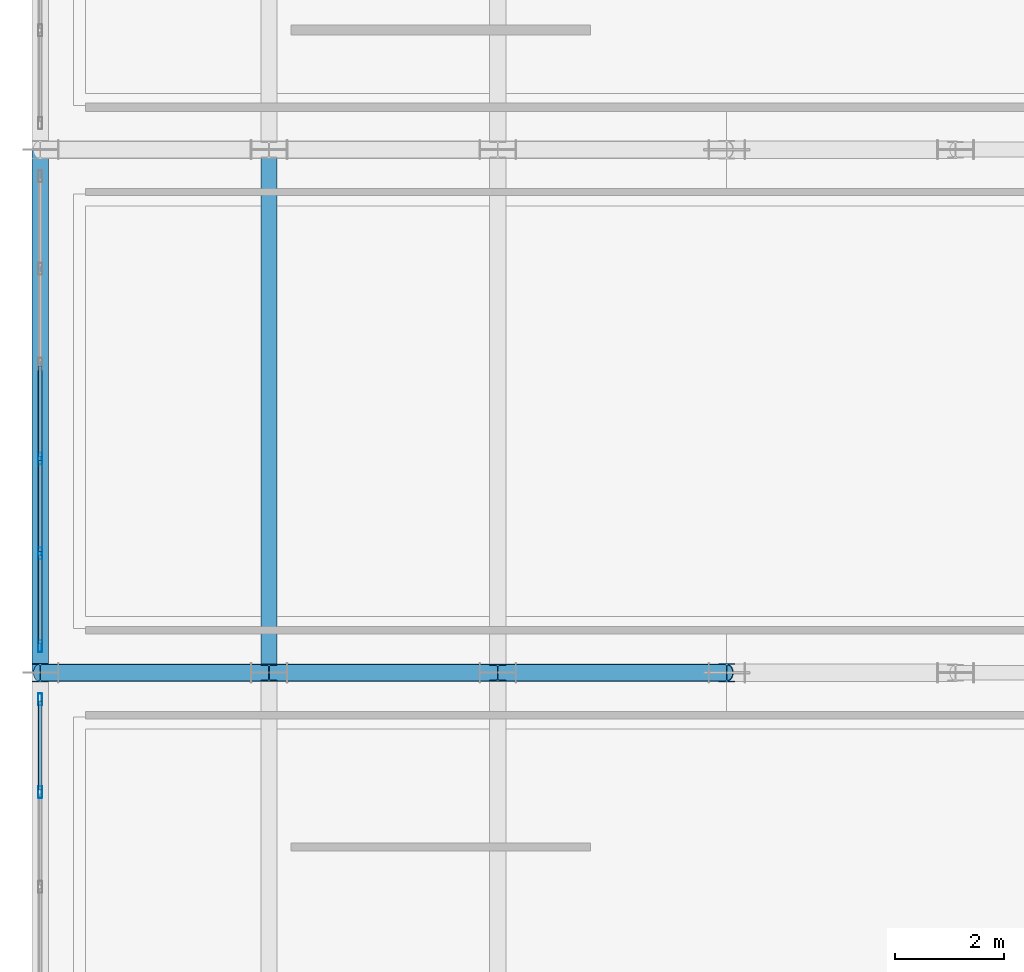
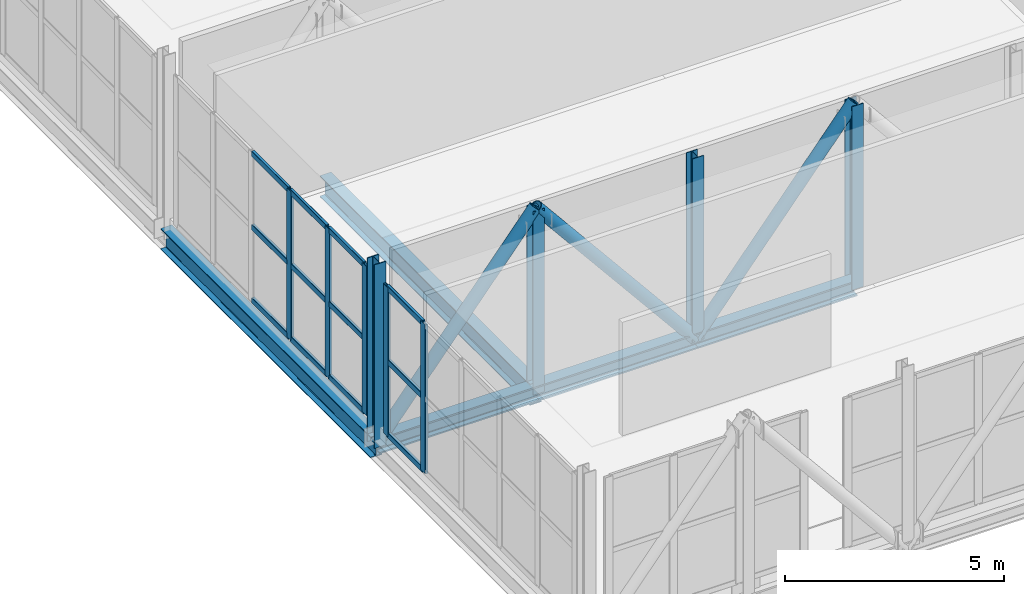
# One storey, part 6 of 77: 27 members, 2 beams, 2 elements without a shape of their own.
"""IFC4 building model written with IfcOpenShell, lengths in metres."""

from ifc_helpers import new_model, si_unit, direction, frame, origin, origin_2d, place, context, subcontext, project, spatial, hollow_rectangle, hollow_circle, i_section, extrude, material, layer, layer_set, material_profile, profile_set, type_object, element, aggregate, save


model = new_model("IFC4")

# Units and contexts
model_context = context("Model", 3, precision=1e-05, world=origin(), true_north=direction((0.0, 1.0)))
body_context = subcontext(model_context, "Body", "Model", "MODEL_VIEW")
ifc_project = project(units=[si_unit("LENGTHUNIT", "METRE"), si_unit("AREAUNIT", "SQUARE_METRE"), si_unit("VOLUMEUNIT", "CUBIC_METRE"), si_unit("PLANEANGLEUNIT", "RADIAN"), si_unit("MASSUNIT", "GRAM", prefix="KILO")], contexts=[model_context])

# Site, building, storey
site_placement = place(None, origin())
site = spatial("IfcSite", under=ifc_project, at=site_placement, CompositionType="ELEMENT")
building_placement = place(site_placement, origin())
building = spatial("IfcBuilding", under=site, at=building_placement, Name="Zulmaris Art Gallery", CompositionType="ELEMENT")
storey_placement = place(building_placement, frame((0.0, 0.0, 15.60009765625)))
storey = spatial("IfcBuildingStorey", under=building, at=storey_placement, Name="L03", CompositionType="ELEMENT", Elevation=15.60009765625)

# Beams
ifc_material_1 = material(Name="Steel S355J2", Category="steel")
ifc_material_profile_1 = material_profile(ifc_material_1, i_section(OverallWidth=0.300048828125, OverallDepth=0.590087890625, WebThickness=0.012939453125, FlangeThickness=0.02490234375, FilletRadius=0.027099609375, at=origin_2d()), Name="HEA 600")
ifc_profile_set_1 = profile_set([ifc_material_profile_1], Name="Steel S355J2")
beam_type = type_object("IfcBeamType", Name="BEAM-BM12", PredefinedType="BEAM", material=ifc_profile_set_1)
for number, where, z_axis, x_axis, name in (
    (1, (11.39990234375, 31.199951171875, -0.614990234375), (0.0, 1.0, 0.0), (-1.0, 0.0, 0.0), "L03 cantilever transverse girder at x=11.4"),
    (2, (15.60009765625, 31.199951171875, -0.614990234375), (0.0, 1.0, 0.0), (-1.0, 0.0, 0.0), "L03 cantilever transverse girder at x=15.6"),
):
    element("IfcBeam", number, at=place(storey_placement, frame(where, z_axis=z_axis, x_axis=x_axis)), inside=storey, type_object=beam_type, Name=name, PredefinedType="BEAM", context=body_context, shape_type="SweptSolid", body=[
        extrude(i_section(OverallWidth=0.300048828125, OverallDepth=0.590087890625, WebThickness=0.012939453125, FlangeThickness=0.02490234375, FilletRadius=0.027099609375, at=origin_2d()), origin(), (0.0, 0.0, 1.0), 9.60009765625),
    ])

# Curtain wall, members
ifc_material_2 = material(Name="Belvedere Horizon Glazed Curtain Wall", Category="aluminium")
ifc_layer = layer(ifc_material_2, 0.179931640625)
ifc_layer_set = layer_set([ifc_layer], Name="Belvedere Horizon Glazed Curtain Wall")
curtain_wall_type = type_object("IfcCurtainWallType", Name="CW-CW02", PredefinedType="NOTDEFINED", material=ifc_layer_set)
curtain_wall_1_placement = place(storey_placement, origin())
curtain_wall_1 = element("IfcCurtainWall", 3, at=curtain_wall_1_placement, inside=storey, type_object=curtain_wall_type, Name="L03 curtain wall 16", PredefinedType="NOTDEFINED")
ifc_material_3 = material(Name="Anodised Bronze Aluminium", Category="aluminium")
ifc_material_profile_2 = material_profile(ifc_material_3, hollow_rectangle(XDim=0.074951171875, YDim=0.219970703125, WallThickness=0.0048828125, InnerFilletRadius=0.007568359375, OuterFilletRadius=0.012451171875, at=origin_2d()), Name="ALU 75x220x5")
ifc_profile_set_2 = profile_set([ifc_material_profile_2], Name="Anodised Bronze Aluminium")
member_type_1 = type_object("IfcMemberType", Name="CWMUL-02", PredefinedType="MULLION", material=ifc_profile_set_2)
member_1_placement = place(storey_placement, frame((11.39990234375, 29.010009765625, 0.0), z_axis=(0.0, 0.0, 1.0), x_axis=(-1.0, 0.0, 0.0)))
member_1 = element("IfcMember", 4, at=member_1_placement, type_object=member_type_1, Name="CW02 mullion 5", PredefinedType="MULLION", context=body_context, shape_type="SweptSolid", body=[
    extrude(hollow_rectangle(XDim=0.074951171875, YDim=0.219970703125, WallThickness=0.0048828125, InnerFilletRadius=0.007568359375, OuterFilletRadius=0.012451171875, at=origin_2d()), origin(), (0.0, 0.0, 1.0), 4.159912109375),
])
member_2_placement = place(storey_placement, frame((11.39990234375, 30.71240234375, 0.0), z_axis=(0.0, 0.0, 1.0), x_axis=(-1.0, 0.0, 0.0)))
member_2 = element("IfcMember", 5, at=member_2_placement, type_object=member_type_1, Name="CW02 mullion 6", PredefinedType="MULLION", context=body_context, shape_type="SweptSolid", body=[
    extrude(hollow_rectangle(XDim=0.074951171875, YDim=0.219970703125, WallThickness=0.0048828125, InnerFilletRadius=0.007568359375, OuterFilletRadius=0.012451171875, at=origin_2d()), origin(), (0.0, 0.0, 1.0), 4.159912109375),
])

curtain_wall_2_placement = place(storey_placement, origin())
curtain_wall_2 = element("IfcCurtainWall", 6, at=curtain_wall_2_placement, inside=storey, type_object=curtain_wall_type, Name="L03 curtain wall 17", PredefinedType="NOTDEFINED")
member_3_placement = place(storey_placement, frame((11.39990234375, 31.6875, 0.0), z_axis=(0.0, 0.0, 1.0), x_axis=(-1.0, 0.0, 0.0)))
member_3 = element("IfcMember", 7, at=member_3_placement, type_object=member_type_1, Name="CW02 mullion 1", PredefinedType="MULLION", context=body_context, shape_type="SweptSolid", body=[
    extrude(hollow_rectangle(XDim=0.074951171875, YDim=0.219970703125, WallThickness=0.0048828125, InnerFilletRadius=0.007568359375, OuterFilletRadius=0.012451171875, at=origin_2d()), origin(), (0.0, 0.0, 1.0), 4.159912109375),
])
member_4_placement = place(storey_placement, frame((11.39990234375, 33.389892578125, 0.0), z_axis=(0.0, 0.0, 1.0), x_axis=(-1.0, 0.0, 0.0)))
member_4 = element("IfcMember", 8, at=member_4_placement, type_object=member_type_1, Name="CW02 mullion 2", PredefinedType="MULLION", context=body_context, shape_type="SweptSolid", body=[
    extrude(hollow_rectangle(XDim=0.074951171875, YDim=0.219970703125, WallThickness=0.0048828125, InnerFilletRadius=0.007568359375, OuterFilletRadius=0.012451171875, at=origin_2d()), origin(), (0.0, 0.0, 1.0), 4.159912109375),
])
member_5_placement = place(storey_placement, frame((11.39990234375, 35.1298828125, 0.0), z_axis=(0.0, 0.0, 1.0), x_axis=(-1.0, 0.0, 0.0)))
member_5 = element("IfcMember", 9, at=member_5_placement, type_object=member_type_1, Name="CW02 mullion 3", PredefinedType="MULLION", context=body_context, shape_type="SweptSolid", body=[
    extrude(hollow_rectangle(XDim=0.074951171875, YDim=0.219970703125, WallThickness=0.0048828125, InnerFilletRadius=0.007568359375, OuterFilletRadius=0.012451171875, at=origin_2d()), origin(), (0.0, 0.0, 1.0), 4.159912109375),
])

# Member
ifc_material_profile_3 = material_profile(ifc_material_3, hollow_rectangle(XDim=0.074951171875, YDim=0.159912109375, WallThickness=0.00390625, InnerFilletRadius=0.006103515625, OuterFilletRadius=0.010009765625, at=origin_2d()), Name="ALU 75x160x4")
ifc_profile_set_3 = profile_set([ifc_material_profile_3], Name="Anodised Bronze Aluminium")
member_type_2 = type_object("IfcMemberType", Name="CWTRN-02", PredefinedType="USERDEFINED", material=ifc_profile_set_3)
member_6_placement = place(storey_placement, frame((11.39990234375, 29.047607421875, 0.037353515625), z_axis=(0.0, 1.0, 0.0), x_axis=(-1.0, 0.0, 0.0)))
member_6 = element("IfcMember", 10, at=member_6_placement, type_object=member_type_2, Name="CW02 transom 5.1", ObjectType="TRANSOM", PredefinedType="USERDEFINED", context=body_context, shape_type="SweptSolid", body=[
    extrude(hollow_rectangle(XDim=0.074951171875, YDim=0.159912109375, WallThickness=0.00390625, InnerFilletRadius=0.006103515625, OuterFilletRadius=0.010009765625, at=origin_2d()), origin(), (0.0, 0.0, 1.0), 1.62744140625),
])

member_7_placement = place(storey_placement, frame((11.39990234375, 29.047607421875, 2.079833984375), z_axis=(0.0, 1.0, 0.0), x_axis=(-1.0, 0.0, 0.0)))
member_7 = element("IfcMember", 11, at=member_7_placement, type_object=member_type_2, Name="CW02 transom 5.2", ObjectType="TRANSOM", PredefinedType="USERDEFINED", context=body_context, shape_type="SweptSolid", body=[
    extrude(hollow_rectangle(XDim=0.074951171875, YDim=0.159912109375, WallThickness=0.00390625, InnerFilletRadius=0.006103515625, OuterFilletRadius=0.010009765625, at=origin_2d()), origin(), (0.0, 0.0, 1.0), 1.62744140625),
])

member_8_placement = place(storey_placement, frame((11.39990234375, 29.047607421875, 4.122314453125), z_axis=(0.0, 1.0, 0.0), x_axis=(-1.0, 0.0, 0.0)))
member_8 = element("IfcMember", 12, at=member_8_placement, type_object=member_type_2, Name="CW02 transom 5.3", ObjectType="TRANSOM", PredefinedType="USERDEFINED", context=body_context, shape_type="SweptSolid", body=[
    extrude(hollow_rectangle(XDim=0.074951171875, YDim=0.159912109375, WallThickness=0.00390625, InnerFilletRadius=0.006103515625, OuterFilletRadius=0.010009765625, at=origin_2d()), origin(), (0.0, 0.0, 1.0), 1.62744140625),
])

aggregate(curtain_wall_1, [member_1, member_2, member_6, member_7, member_8])

member_9_placement = place(storey_placement, frame((11.39990234375, 31.72509765625, 0.037353515625), z_axis=(0.0, 1.0, 0.0), x_axis=(-1.0, 0.0, 0.0)))
member_9 = element("IfcMember", 13, at=member_9_placement, type_object=member_type_2, Name="CW02 transom 1.1", ObjectType="TRANSOM", PredefinedType="USERDEFINED", context=body_context, shape_type="SweptSolid", body=[
    extrude(hollow_rectangle(XDim=0.074951171875, YDim=0.159912109375, WallThickness=0.00390625, InnerFilletRadius=0.006103515625, OuterFilletRadius=0.010009765625, at=origin_2d()), origin(), (0.0, 0.0, 1.0), 1.62744140625),
])

member_10_placement = place(storey_placement, frame((11.39990234375, 31.72509765625, 2.079833984375), z_axis=(0.0, 1.0, 0.0), x_axis=(-1.0, 0.0, 0.0)))
member_10 = element("IfcMember", 14, at=member_10_placement, type_object=member_type_2, Name="CW02 transom 1.2", ObjectType="TRANSOM", PredefinedType="USERDEFINED", context=body_context, shape_type="SweptSolid", body=[
    extrude(hollow_rectangle(XDim=0.074951171875, YDim=0.159912109375, WallThickness=0.00390625, InnerFilletRadius=0.006103515625, OuterFilletRadius=0.010009765625, at=origin_2d()), origin(), (0.0, 0.0, 1.0), 1.62744140625),
])

member_11_placement = place(storey_placement, frame((11.39990234375, 31.72509765625, 4.122314453125), z_axis=(0.0, 1.0, 0.0), x_axis=(-1.0, 0.0, 0.0)))
member_11 = element("IfcMember", 15, at=member_11_placement, type_object=member_type_2, Name="CW02 transom 1.3", ObjectType="TRANSOM", PredefinedType="USERDEFINED", context=body_context, shape_type="SweptSolid", body=[
    extrude(hollow_rectangle(XDim=0.074951171875, YDim=0.159912109375, WallThickness=0.00390625, InnerFilletRadius=0.006103515625, OuterFilletRadius=0.010009765625, at=origin_2d()), origin(), (0.0, 0.0, 1.0), 1.62744140625),
])

member_12_placement = place(storey_placement, frame((11.39990234375, 33.427490234375, 0.037353515625), z_axis=(0.0, 1.0, 0.0), x_axis=(-1.0, 0.0, 0.0)))
member_12 = element("IfcMember", 16, at=member_12_placement, type_object=member_type_2, Name="CW02 transom 2.1", ObjectType="TRANSOM", PredefinedType="USERDEFINED", context=body_context, shape_type="SweptSolid", body=[
    extrude(hollow_rectangle(XDim=0.074951171875, YDim=0.159912109375, WallThickness=0.00390625, InnerFilletRadius=0.006103515625, OuterFilletRadius=0.010009765625, at=origin_2d()), origin(), (0.0, 0.0, 1.0), 1.6650390625),
])

member_13_placement = place(storey_placement, frame((11.39990234375, 33.427490234375, 2.079833984375), z_axis=(0.0, 1.0, 0.0), x_axis=(-1.0, 0.0, 0.0)))
member_13 = element("IfcMember", 17, at=member_13_placement, type_object=member_type_2, Name="CW02 transom 2.2", ObjectType="TRANSOM", PredefinedType="USERDEFINED", context=body_context, shape_type="SweptSolid", body=[
    extrude(hollow_rectangle(XDim=0.074951171875, YDim=0.159912109375, WallThickness=0.00390625, InnerFilletRadius=0.006103515625, OuterFilletRadius=0.010009765625, at=origin_2d()), origin(), (0.0, 0.0, 1.0), 1.6650390625),
])

member_14_placement = place(storey_placement, frame((11.39990234375, 33.427490234375, 4.122314453125), z_axis=(0.0, 1.0, 0.0), x_axis=(-1.0, 0.0, 0.0)))
member_14 = element("IfcMember", 18, at=member_14_placement, type_object=member_type_2, Name="CW02 transom 2.3", ObjectType="TRANSOM", PredefinedType="USERDEFINED", context=body_context, shape_type="SweptSolid", body=[
    extrude(hollow_rectangle(XDim=0.074951171875, YDim=0.159912109375, WallThickness=0.00390625, InnerFilletRadius=0.006103515625, OuterFilletRadius=0.010009765625, at=origin_2d()), origin(), (0.0, 0.0, 1.0), 1.6650390625),
])

member_15_placement = place(storey_placement, frame((11.39990234375, 35.16748046875, 0.037353515625), z_axis=(0.0, 1.0, 0.0), x_axis=(-1.0, 0.0, 0.0)))
member_15 = element("IfcMember", 19, at=member_15_placement, type_object=member_type_2, Name="CW02 transom 3.1", ObjectType="TRANSOM", PredefinedType="USERDEFINED", context=body_context, shape_type="SweptSolid", body=[
    extrude(hollow_rectangle(XDim=0.074951171875, YDim=0.159912109375, WallThickness=0.00390625, InnerFilletRadius=0.006103515625, OuterFilletRadius=0.010009765625, at=origin_2d()), origin(), (0.0, 0.0, 1.0), 1.6650390625),
])

member_16_placement = place(storey_placement, frame((11.39990234375, 35.16748046875, 2.079833984375), z_axis=(0.0, 1.0, 0.0), x_axis=(-1.0, 0.0, 0.0)))
member_16 = element("IfcMember", 20, at=member_16_placement, type_object=member_type_2, Name="CW02 transom 3.2", ObjectType="TRANSOM", PredefinedType="USERDEFINED", context=body_context, shape_type="SweptSolid", body=[
    extrude(hollow_rectangle(XDim=0.074951171875, YDim=0.159912109375, WallThickness=0.00390625, InnerFilletRadius=0.006103515625, OuterFilletRadius=0.010009765625, at=origin_2d()), origin(), (0.0, 0.0, 1.0), 1.6650390625),
])

member_17_placement = place(storey_placement, frame((11.39990234375, 35.16748046875, 4.122314453125), z_axis=(0.0, 1.0, 0.0), x_axis=(-1.0, 0.0, 0.0)))
member_17 = element("IfcMember", 21, at=member_17_placement, type_object=member_type_2, Name="CW02 transom 3.3", ObjectType="TRANSOM", PredefinedType="USERDEFINED", context=body_context, shape_type="SweptSolid", body=[
    extrude(hollow_rectangle(XDim=0.074951171875, YDim=0.159912109375, WallThickness=0.00390625, InnerFilletRadius=0.006103515625, OuterFilletRadius=0.010009765625, at=origin_2d()), origin(), (0.0, 0.0, 1.0), 1.6650390625),
])

aggregate(curtain_wall_2, [member_3, member_4, member_5, member_9, member_10, member_11, member_12, member_13, member_14, member_15, member_16, member_17])

# Members
ifc_material_4 = material(Name="Steel S355J2H", Category="steel")
ifc_material_profile_4 = material_profile(ifc_material_4, hollow_circle(Radius=0.161865234375, WallThickness=0.01611328125, at=origin_2d()), Name="CHS 323.9x16")
ifc_profile_set_4 = profile_set([ifc_material_profile_4], Name="Steel S355J2H")
member_type_3 = type_object("IfcMemberType", Name="MEM-TB04", PredefinedType="BRACE", material=ifc_profile_set_4)
member_18_placement = place(storey_placement, frame((11.39990234375, 31.199951171875, -0.5361328125), z_axis=(0.634341472612, 0.0, 0.773052971099), x_axis=(0.0, 1.0, 0.0)))
element("IfcMember", 22, at=member_18_placement, inside=storey, type_object=member_type_3, Name="Cantilever truss TR-C2 diagonal 1", PredefinedType="BRACE", context=body_context, shape_type="SweptSolid", body=[
    extrude(hollow_circle(Radius=0.161865234375, WallThickness=0.01611328125, at=origin_2d()), origin(), (0.0, 0.0, 1.0), 6.621337890625),
])
for number, where, z_axis, x_axis, name in (
    (23, (15.60009765625, 31.199951171875, 4.58251953125), (0.634319436883, 0.0, -0.773071052357), (0.0, 1.0, 0.0), "Cantilever truss TR-C2 diagonal 2"),
    (24, (19.800048828125, 31.199951171875, -0.5361328125), (0.634319436883, 0.0, 0.773071052357), (0.0, 1.0, 0.0), "Cantilever truss TR-C2 diagonal 3"),
):
    element("IfcMember", number, at=place(storey_placement, frame(where, z_axis=z_axis, x_axis=x_axis)), inside=storey, type_object=member_type_3, Name=name, PredefinedType="BRACE", context=body_context, shape_type="SweptSolid", body=[
        extrude(hollow_circle(Radius=0.161865234375, WallThickness=0.01611328125, at=origin_2d()), origin(), (0.0, 0.0, 1.0), 6.62109375),
    ])
ifc_material_profile_5 = material_profile(ifc_material_1, i_section(OverallWidth=0.306884765625, OverallDepth=0.431884765625, WebThickness=0.02099609375, FlangeThickness=0.0400390625, FilletRadius=0.027099609375, at=origin_2d()), Name="HEM 400")
ifc_profile_set_5 = profile_set([ifc_material_profile_5], Name="Steel S355J2")
member_type_4 = type_object("IfcMemberType", Name="MEM-TC05", PredefinedType="CHORD", material=ifc_profile_set_5)
member_19_placement = place(storey_placement, frame((11.39990234375, 31.199951171875, -0.5361328125), z_axis=(1.0, 0.0, 0.0), x_axis=(0.0, 1.0, 0.0)))
element("IfcMember", 25, at=member_19_placement, inside=storey, type_object=member_type_4, Name="Cantilever truss TR-C2 bottom chord 1", PredefinedType="CHORD", context=body_context, shape_type="SweptSolid", body=[
    extrude(i_section(OverallWidth=0.306884765625, OverallDepth=0.431884765625, WebThickness=0.02099609375, FlangeThickness=0.0400390625, FilletRadius=0.027099609375, at=origin_2d()), origin(), (0.0, 0.0, 1.0), 4.2001953125),
])
for number, where, z_axis, x_axis, name in (
    (26, (15.60009765625, 31.199951171875, -0.5361328125), (1.0, 0.0, 0.0), (0.0, 1.0, 0.0), "Cantilever truss TR-C2 bottom chord 2"),
    (27, (19.800048828125, 31.199951171875, -0.5361328125), (1.0, 0.0, 0.0), (0.0, 1.0, 0.0), "Cantilever truss TR-C2 bottom chord 3"),
):
    element("IfcMember", number, at=place(storey_placement, frame(where, z_axis=z_axis, x_axis=x_axis)), inside=storey, type_object=member_type_4, Name=name, PredefinedType="CHORD", context=body_context, shape_type="SweptSolid", body=[
        extrude(i_section(OverallWidth=0.306884765625, OverallDepth=0.431884765625, WebThickness=0.02099609375, FlangeThickness=0.0400390625, FilletRadius=0.027099609375, at=origin_2d()), origin(), (0.0, 0.0, 1.0), 4.199951171875),
    ])
ifc_material_profile_6 = material_profile(ifc_material_1, i_section(OverallWidth=0.300048828125, OverallDepth=0.300048828125, WebThickness=0.010986328125, FlangeThickness=0.01904296875, FilletRadius=0.027099609375, at=origin_2d()), Name="HEB 300")
ifc_profile_set_6 = profile_set([ifc_material_profile_6], Name="Steel S355J2")
member_type_5 = type_object("IfcMemberType", Name="MEM-TP03", PredefinedType="POST", material=ifc_profile_set_6)
for number, where, z_axis, x_axis, name in (
    (28, (15.60009765625, 31.199951171875, -0.5361328125), (0.0, 0.0, 1.0), (1.0, 0.0, 0.0), "Cantilever truss TR-C2 post 2"),
    (29, (19.800048828125, 31.199951171875, -0.5361328125), (0.0, 0.0, 1.0), (1.0, 0.0, 0.0), "Cantilever truss TR-C2 post 3"),
):
    element("IfcMember", number, at=place(storey_placement, frame(where, z_axis=z_axis, x_axis=x_axis)), inside=storey, type_object=member_type_5, Name=name, PredefinedType="POST", context=body_context, shape_type="SweptSolid", body=[
        extrude(i_section(OverallWidth=0.300048828125, OverallDepth=0.300048828125, WebThickness=0.010986328125, FlangeThickness=0.01904296875, FilletRadius=0.027099609375, at=origin_2d()), origin(), (0.0, 0.0, 1.0), 5.11865234375),
    ])
ifc_material_profile_7 = material_profile(ifc_material_1, i_section(OverallWidth=0.300048828125, OverallDepth=0.340087890625, WebThickness=0.011962890625, FlangeThickness=0.021484375, FilletRadius=0.027099609375, at=origin_2d()), Name="HEB 340")
ifc_profile_set_7 = profile_set([ifc_material_profile_7], Name="Steel S355J2")
member_type_6 = type_object("IfcMemberType", Name="MEM-TP04", PredefinedType="POST", material=ifc_profile_set_7)
for number, where, z_axis, x_axis, name in (
    (30, (11.39990234375, 31.199951171875, -0.5361328125), (0.0, 0.0, 1.0), (1.0, 0.0, 0.0), "Cantilever truss TR-C2 post 1"),
    (31, (24.0, 31.199951171875, -0.5361328125), (0.0, 0.0, 1.0), (1.0, 0.0, 0.0), "Cantilever truss TR-C2 post 4"),
):
    element("IfcMember", number, at=place(storey_placement, frame(where, z_axis=z_axis, x_axis=x_axis)), inside=storey, type_object=member_type_6, Name=name, PredefinedType="POST", context=body_context, shape_type="SweptSolid", body=[
        extrude(i_section(OverallWidth=0.300048828125, OverallDepth=0.340087890625, WebThickness=0.011962890625, FlangeThickness=0.021484375, FilletRadius=0.027099609375, at=origin_2d()), origin(), (0.0, 0.0, 1.0), 5.11865234375),
    ])

save(model, "model.ifc")
